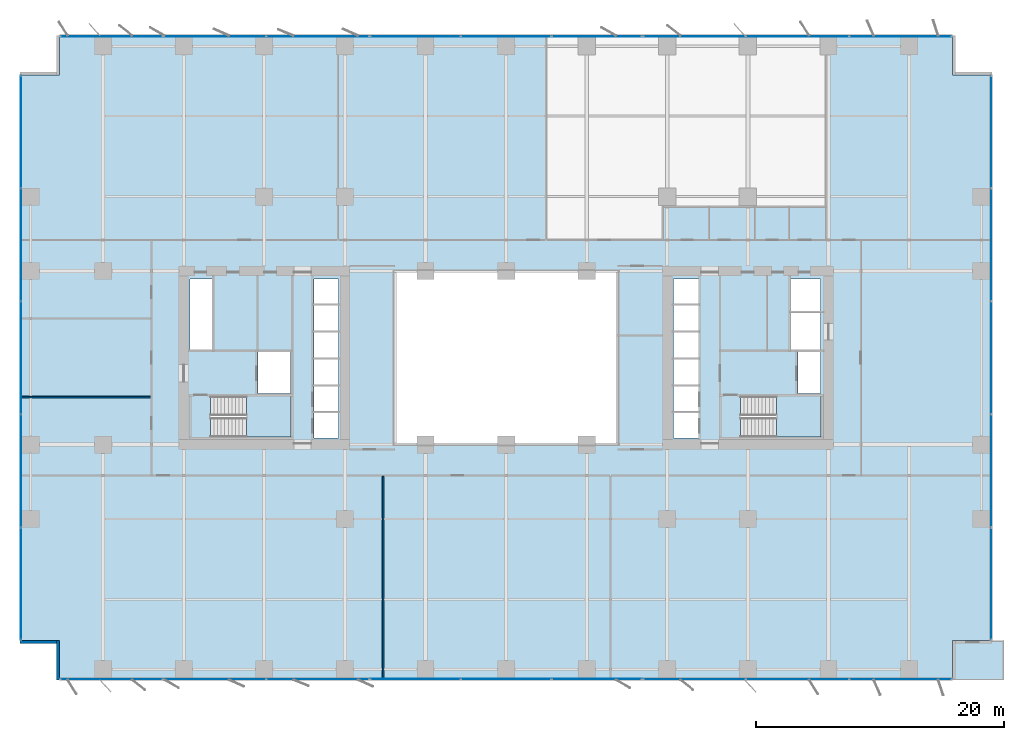
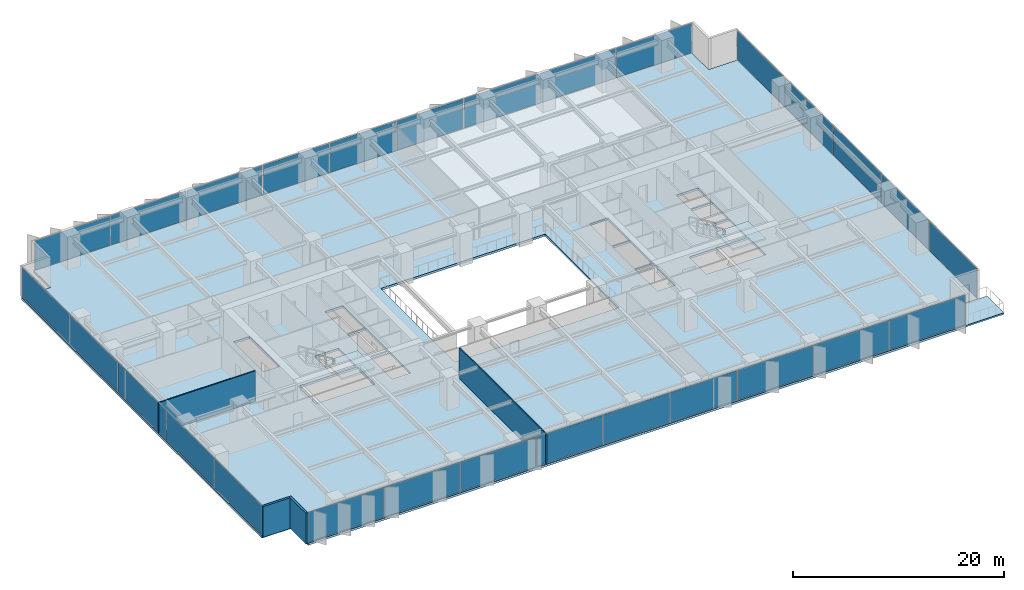
# One storey, part 12 of 20: 28 plates, 4 slabs, 4 walls, 10 elements without a shape of their own.
"""IFC4 building model written with IfcOpenShell, lengths in metres."""

import ifcopenshell
import ifcopenshell.guid

model = None  # the IFC model being written
_history = None  # IfcOwnerHistory: only IFC2X3 demands one
_inside = {}  # id of a spatial element -> (the spatial element, [elements in it])
_under = {}  # id of a project, library or spatial element -> (it, [spatial elements below it])
_declared = {}  # id of a project -> (the project, [libraries it declares])
_typed = {}  # id of a type object -> (the type object, [elements of that type])
_made_of = {}  # id of a material, layer set ... -> (it, [elements and type objects made of it])


def new_model(schema):
    """Start an empty IFC model of exactly this schema.

    Asked for "IFC4X3", IfcOpenShell would pick the latest addendum, in which some entities
    have other attributes; the version numbers below select the first issue.
    IFC2X3 requires an IfcOwnerHistory on every rooted entity: one is made here for all.
    """
    global model, _history
    if schema == "IFC4X3":
        model = ifcopenshell.file(schema_version=(4, 3, 0, 0))
    else:
        model = ifcopenshell.file(schema=schema)
    _inside.clear()
    _under.clear()
    _declared.clear()
    _typed.clear()
    _made_of.clear()
    _history = None
    if model.schema == "IFC2X3":
        org = make("IfcOrganization", Name="unknown")
        user = make(
            "IfcPersonAndOrganization",
            ThePerson=make("IfcPerson", FamilyName="unknown"),
            TheOrganization=org,
        )
        app = make(
            "IfcApplication",
            ApplicationDeveloper=org,
            Version="unknown",
            ApplicationFullName="unknown",
            ApplicationIdentifier="unknown",
        )
        _history = make(
            "IfcOwnerHistory",
            OwningUser=user,
            OwningApplication=app,
            ChangeAction="ADDED",
            CreationDate=0,
        )
    return model


def make(cls, **values):
    """One entity of the class cls with the attributes given. An attribute that is None is left unset."""
    return model.create_entity(
        cls, **{name: value for name, value in values.items() if value is not None}
    )


def rooted(cls, **values):
    """An entity with a GlobalId (a new one), such as an element, a storey or a relation."""
    return make(cls, GlobalId=ifcopenshell.guid.new(), OwnerHistory=_history, **values)


def si_unit(unit_type, name, prefix=None):
    """IfcSIUnit, for example si_unit("LENGTHUNIT", "METRE", prefix="MILLI")."""
    return make("IfcSIUnit", UnitType=unit_type, Prefix=prefix, Name=name)


def assignment(units):
    """IfcUnitAssignment: the units of a project."""
    return None if units is None else make("IfcUnitAssignment", Units=units)


def point(xyz):
    """IfcCartesianPoint."""
    return None if xyz is None else make("IfcCartesianPoint", Coordinates=xyz)


def direction(xyz):
    """IfcDirection."""
    return None if xyz is None else make("IfcDirection", DirectionRatios=xyz)


def frame(location, z_axis=None, x_axis=None):
    """IfcAxis2Placement3D, a coordinate frame: its origin and axes. An axis left out is left unset."""
    return make(
        "IfcAxis2Placement3D",
        Location=point(location),
        Axis=direction(z_axis),
        RefDirection=direction(x_axis),
    )


def frame_2d(location, x_axis=None):
    """IfcAxis2Placement2D, a coordinate frame in the plane: its origin and x axis."""
    return make(
        "IfcAxis2Placement2D", Location=point(location), RefDirection=direction(x_axis)
    )


def origin():
    """The frame at (0, 0, 0) with its axes left unset."""
    return frame((0.0, 0.0, 0.0))


def origin_2d():
    """The frame at (0, 0) in the plane with its x axis left unset."""
    return frame_2d((0.0, 0.0))


def place(relative_to, where):
    """IfcLocalPlacement: puts the frame where relative to a parent placement (None: the world)."""
    return make(
        "IfcLocalPlacement", PlacementRelTo=relative_to, RelativePlacement=where
    )


def context(
    kind, dimensions, precision=None, world=None, true_north=None, identifier=None
):
    """IfcGeometricRepresentationContext, for example the 3D "Model" context."""
    return make(
        "IfcGeometricRepresentationContext",
        ContextIdentifier=identifier,
        ContextType=kind,
        CoordinateSpaceDimension=dimensions,
        Precision=precision,
        WorldCoordinateSystem=world,
        TrueNorth=true_north,
    )


def subcontext(parent, identifier, kind, view, scale=None):
    """IfcGeometricRepresentationSubContext, for example "Body" below "Model"."""
    return make(
        "IfcGeometricRepresentationSubContext",
        ContextIdentifier=identifier,
        ContextType=kind,
        ParentContext=parent,
        TargetScale=scale,
        TargetView=view,
    )


def project(units=None, contexts=None):
    """IfcProject with its units and contexts."""
    return rooted(
        "IfcProject",
        Name="project",
        RepresentationContexts=contexts,
        UnitsInContext=assignment(units),
    )


def spatial(cls, under=None, at=None, **own):
    """A site, building, storey or space (cls), placed at a placement, below another one or the project."""
    s = rooted(cls, ObjectPlacement=at, **own)
    if under is not None:
        _under.setdefault(under.id(), (under, []))[1].append(s)
    return s


def polyline(points):
    """IfcPolyline through the points."""
    return make("IfcPolyline", Points=[point(p) for p in points])


def profile(cls, at=None, kind="AREA", **sizes):
    """A parametric profile (cls). Its sizes go by their IFC names, for example OverallWidth=200.0."""
    return make(cls, ProfileType=kind, Position=at, **sizes)


def rectangle(**sizes):
    """IfcRectangleProfileDef."""
    return profile("IfcRectangleProfileDef", **sizes)


def outline(outer, holes=None, kind="AREA"):
    """IfcArbitraryClosedProfileDef: a profile drawn as a closed curve; with holes, ...WithVoids."""
    if holes is None:
        return make("IfcArbitraryClosedProfileDef", ProfileType=kind, OuterCurve=outer)
    return make(
        "IfcArbitraryProfileDefWithVoids",
        ProfileType=kind,
        OuterCurve=outer,
        InnerCurves=holes,
    )


def extrude(swept, where, along, depth):
    """IfcExtrudedAreaSolid: the profile swept, set in the frame where, extruded along a direction by depth."""
    return make(
        "IfcExtrudedAreaSolid",
        SweptArea=swept,
        Position=where,
        ExtrudedDirection=direction(along),
        Depth=depth,
    )


def shape(context_of_items, identifier, shape_type, items):
    """IfcShapeRepresentation: the items that make up one representation, for example the "Body"."""
    return make(
        "IfcShapeRepresentation",
        ContextOfItems=context_of_items,
        RepresentationIdentifier=identifier,
        RepresentationType=shape_type,
        Items=items,
    )


def material(Name=None, Category=None):
    """IfcMaterial."""
    return make("IfcMaterial", Name=Name, Category=Category)


def layer(
    of_material, thickness, ventilated=None, Name=None, Category=None, Priority=None
):
    """IfcMaterialLayer: one layer of a wall or slab, of a material (None: an air gap)."""
    return make(
        "IfcMaterialLayer",
        Material=of_material,
        LayerThickness=thickness,
        IsVentilated=ventilated,
        Name=Name,
        Category=Category,
        Priority=Priority,
    )


def layer_set(layers, Name=None):
    """IfcMaterialLayerSet."""
    return make("IfcMaterialLayerSet", MaterialLayers=layers, LayerSetName=Name)


def made_of(thing, what):
    """Note that an element or type object is made of a material, layer set ...; save() writes the relation."""
    if what is not None:
        _made_of.setdefault(what.id(), (what, []))[1].append(thing)
    return thing


def type_object(cls, material=None, **own):
    """A type object (cls), such as IfcWallType, which elements share."""
    return made_of(rooted(cls, **own), material)


def element(
    cls,
    number,
    at=None,
    inside=None,
    cuts=None,
    type_object=None,
    material=None,
    context=None,
    identifier="Body",
    shape_type=None,
    held_by="IfcProductDefinitionShape",
    body=None,
    shapes=None,
    **own,
):
    """One element of the class cls, such as IfcWall. Its Tag is "e" and its number.

    at: its placement. inside: the storey or other place that contains it. cuts: it is an
    opening in that element (IfcRelVoidsElement). A single representation is given by context,
    identifier, shape_type and body (its items); several are given by shapes. held_by: the class
    of the entity that holds the representations. save() writes the other relations.
    """
    e = rooted(cls, Tag="e%d" % number, ObjectPlacement=at, **own)
    if body is not None:
        shapes = [shape(context, identifier, shape_type, body)]
    if shapes is not None:
        e.Representation = make(held_by, Representations=shapes)
    if inside is not None:
        _inside.setdefault(inside.id(), (inside, []))[1].append(e)
    if cuts is not None:
        rooted(
            "IfcRelVoidsElement", RelatingBuildingElement=cuts, RelatedOpeningElement=e
        )
    if type_object is not None:
        _typed.setdefault(type_object.id(), (type_object, []))[1].append(e)
    return made_of(e, material)


def aggregate(whole, parts):
    """IfcRelAggregates: a whole, such as a stair, and the parts it consists of."""
    return rooted("IfcRelAggregates", RelatingObject=whole, RelatedObjects=parts)


def save(model, path):
    """Write the relations noted so far, then the file.

    IfcRelAggregates (storeys below a building ...), IfcRelContainedInSpatialStructure (elements
    in a storey), IfcRelDefinesByType, IfcRelAssociatesMaterial and IfcRelDeclares: one each for
    every whole, place, type object, material and project.
    """
    for whole, parts in _under.values():
        aggregate(whole, parts)
    for where, things in _inside.values():
        rooted(
            "IfcRelContainedInSpatialStructure",
            RelatedElements=things,
            RelatingStructure=where,
        )
    for kind, things in _typed.values():
        rooted("IfcRelDefinesByType", RelatedObjects=things, RelatingType=kind)
    for what, things in _made_of.values():
        rooted("IfcRelAssociatesMaterial", RelatedObjects=things, RelatingMaterial=what)
    for by, libraries in _declared.values():
        rooted("IfcRelDeclares", RelatingContext=by, RelatedDefinitions=libraries)
    model.write(path)


model = new_model("IFC4")

# Units and contexts
model_context = context("Model", 3, precision=1e-05, world=origin(), true_north=direction((0.0, 1.0)))
body_context = subcontext(model_context, "Body", "Model", "MODEL_VIEW")
ifc_project = project(units=[si_unit("LENGTHUNIT", "METRE"), si_unit("AREAUNIT", "SQUARE_METRE"), si_unit("VOLUMEUNIT", "CUBIC_METRE"), si_unit("PLANEANGLEUNIT", "RADIAN"), si_unit("MASSUNIT", "GRAM", prefix="KILO")], contexts=[model_context])

# Site, building, storey
site_placement = place(None, origin())
site = spatial("IfcSite", under=ifc_project, at=site_placement, CompositionType="ELEMENT")
building_placement = place(site_placement, origin())
building = spatial("IfcBuilding", under=site, at=building_placement, Name="Putna Gate Headquarters", CompositionType="ELEMENT")
storey_placement = place(building_placement, frame((0.0, 0.0, 50.60009765625)))
storey = spatial("IfcBuildingStorey", under=building, at=storey_placement, Name="L11", CompositionType="ELEMENT", Elevation=50.60009765625)

# Stair, slab
ifc_material_1 = material(Name="Concrete C40/50", Category="concrete")
stair_type_1 = type_object("IfcStairType", Name="STAIR-ST1", PredefinedType="HALF_TURN_STAIR", material=ifc_material_1)
stair_1_placement = place(storey_placement, origin())
stair_1 = element("IfcStair", 1, at=stair_1_placement, inside=storey, type_object=stair_type_1, Name="L11 West Core Exit Stair ST1", PredefinedType="HALF_TURN_STAIR")
ifc_layer_1 = layer(ifc_material_1, 0.199951171875)
ifc_layer_set_1 = layer_set([ifc_layer_1], Name="Concrete C40/50")
slab_type_1 = type_object("IfcSlabType", Name="LANDING-ST1", PredefinedType="LANDING", material=ifc_layer_set_1)
slab_1_placement = place(storey_placement, frame((0.0, 0.0, 1.699951171875)))
slab_1 = element("IfcSlab", 2, at=slab_1_placement, type_object=slab_type_1, Name="ST1 landing 1", PredefinedType="LANDING", context=body_context, shape_type="SweptSolid", body=[
    extrude(outline(polyline([(18.050048828125, 19.60009765625), (21.64990234375, 19.60009765625), (21.64990234375, 22.89990234375), (18.050048828125, 22.89990234375), (18.050048828125, 19.60009765625)])), origin(), (0.0, 0.0, 1.0), 0.199951171875),
])
aggregate(stair_1, [slab_1])

stair_type_2 = type_object("IfcStairType", Name="STAIR-ST2", PredefinedType="HALF_TURN_STAIR", material=ifc_material_1)
stair_2_placement = place(storey_placement, origin())
stair_2 = element("IfcStair", 3, at=stair_2_placement, inside=storey, type_object=stair_type_2, Name="L11 East Core Exit Stair ST2", PredefinedType="HALF_TURN_STAIR")
ifc_layer_2 = layer(ifc_material_1, 0.199951171875)
ifc_layer_set_2 = layer_set([ifc_layer_2], Name="Concrete C40/50")
slab_type_2 = type_object("IfcSlabType", Name="LANDING-ST2", PredefinedType="LANDING", material=ifc_layer_set_2)
slab_2_placement = place(storey_placement, frame((0.0, 0.0, 1.699951171875)))
slab_2 = element("IfcSlab", 4, at=slab_2_placement, type_object=slab_type_2, Name="ST2 landing 1", PredefinedType="LANDING", context=body_context, shape_type="SweptSolid", body=[
    extrude(outline(polyline([(60.800048828125, 19.60009765625), (64.39990234375, 19.60009765625), (64.39990234375, 22.89990234375), (60.800048828125, 22.89990234375), (60.800048828125, 19.60009765625)])), origin(), (0.0, 0.0, 1.0), 0.199951171875),
])
aggregate(stair_2, [slab_2])

# Curtain wall, plates
ifc_material_2 = material(Name="Anodised bronze aluminium curtain wall", Category="aluminium")
ifc_layer_3 = layer(ifc_material_2, 0.179931640625)
ifc_layer_set_3 = layer_set([ifc_layer_3], Name="Anodised bronze aluminium curtain wall")
curtain_wall_type_1 = type_object("IfcCurtainWallType", Name="CW-SYS-Z1", PredefinedType="USERDEFINED", material=ifc_layer_set_3)
curtain_wall_1_placement = place(storey_placement, origin())
curtain_wall_1 = element("IfcCurtainWall", 5, at=curtain_wall_1_placement, inside=storey, type_object=curtain_wall_type_1, Name="L11 South West Curtain Wall", ObjectType="STICK CURTAIN WALL", PredefinedType="USERDEFINED")
ifc_material_3 = material(Name="Solar-control triple low-E glass", Category="glass")
ifc_layer_4 = layer(ifc_material_3, 0.031982421875)
ifc_layer_set_4 = layer_set([ifc_layer_4], Name="Solar-control triple low-E glass")
plate_type_1 = type_object("IfcPlateType", Name="PAN-CWP-1", PredefinedType="CURTAIN_PANEL", material=ifc_layer_set_4)
plate_1_placement = place(storey_placement, frame((7.18408203125, 0.080078125, 0.06494140625), z_axis=(0.0, 0.0, 1.0), x_axis=(1.0, 0.0, 0.0)))
plate_1 = element("IfcPlate", 6, at=plate_1_placement, type_object=plate_type_1, Name="CWS-1 panel 1.1", PredefinedType="CURTAIN_PANEL", context=body_context, shape_type="SweptSolid", body=[
    extrude(rectangle(XDim=8.228271484375, YDim=0.031982421875, at=origin_2d()), origin(), (0.0, 0.0, 1.0), 3.419921875),
])
plate_2_placement = place(storey_placement, frame((15.5, 0.080078125, 0.06494140625), z_axis=(0.0, 0.0, 1.0), x_axis=(1.0, 0.0, 0.0)))
plate_2 = element("IfcPlate", 7, at=plate_2_placement, type_object=plate_type_1, Name="CWS-1 panel 2.1", PredefinedType="CURTAIN_PANEL", context=body_context, shape_type="SweptSolid", body=[
    extrude(rectangle(XDim=8.263427734375, YDim=0.031982421875, at=origin_2d()), origin(), (0.0, 0.0, 1.0), 3.419921875),
])
plate_3_placement = place(storey_placement, frame((23.81591796875, 0.080078125, 0.06494140625), z_axis=(0.0, 0.0, 1.0), x_axis=(1.0, 0.0, 0.0)))
plate_3 = element("IfcPlate", 8, at=plate_3_placement, type_object=plate_type_1, Name="CWS-1 panel 3.1", PredefinedType="CURTAIN_PANEL", context=body_context, shape_type="SweptSolid", body=[
    extrude(rectangle(XDim=8.228271484375, YDim=0.031982421875, at=origin_2d()), origin(), (0.0, 0.0, 1.0), 3.419921875),
])
aggregate(curtain_wall_1, [plate_1, plate_2, plate_3])

curtain_wall_2_placement = place(storey_placement, origin())
curtain_wall_2 = element("IfcCurtainWall", 9, at=curtain_wall_2_placement, inside=storey, type_object=curtain_wall_type_1, Name="L11 South East Curtain Wall", ObjectType="STICK CURTAIN WALL", PredefinedType="USERDEFINED")
plate_4_placement = place(storey_placement, frame((54.18408203125, 0.080078125, 0.06494140625), z_axis=(0.0, 0.0, 1.0), x_axis=(1.0, 0.0, 0.0)))
plate_4 = element("IfcPlate", 10, at=plate_4_placement, type_object=plate_type_1, Name="CWS-1 panel 1.1", PredefinedType="CURTAIN_PANEL", context=body_context, shape_type="SweptSolid", body=[
    extrude(rectangle(XDim=8.228271484375, YDim=0.031982421875, at=origin_2d()), origin(), (0.0, 0.0, 1.0), 3.419921875),
])
plate_5_placement = place(storey_placement, frame((62.5, 0.080078125, 0.06494140625), z_axis=(0.0, 0.0, 1.0), x_axis=(1.0, 0.0, 0.0)))
plate_5 = element("IfcPlate", 11, at=plate_5_placement, type_object=plate_type_1, Name="CWS-1 panel 2.1", PredefinedType="CURTAIN_PANEL", context=body_context, shape_type="SweptSolid", body=[
    extrude(rectangle(XDim=8.263427734375, YDim=0.031982421875, at=origin_2d()), origin(), (0.0, 0.0, 1.0), 3.419921875),
])
plate_6_placement = place(storey_placement, frame((70.81591796875, 0.080078125, 0.06494140625), z_axis=(0.0, 0.0, 1.0), x_axis=(1.0, 0.0, 0.0)))
plate_6 = element("IfcPlate", 12, at=plate_6_placement, type_object=plate_type_1, Name="CWS-1 panel 3.1", PredefinedType="CURTAIN_PANEL", context=body_context, shape_type="SweptSolid", body=[
    extrude(rectangle(XDim=8.228271484375, YDim=0.031982421875, at=origin_2d()), origin(), (0.0, 0.0, 1.0), 3.419921875),
])
aggregate(curtain_wall_2, [plate_4, plate_5, plate_6])

curtain_wall_3_placement = place(storey_placement, origin())
curtain_wall_3 = element("IfcCurtainWall", 13, at=curtain_wall_3_placement, inside=storey, type_object=curtain_wall_type_1, Name="L11 North West Curtain Wall", ObjectType="STICK CURTAIN WALL", PredefinedType="USERDEFINED")
plate_7_placement = place(storey_placement, frame((7.18408203125, 51.919921875, 0.06494140625), z_axis=(0.0, 0.0, 1.0), x_axis=(1.0, 0.0, 0.0)))
plate_7 = element("IfcPlate", 14, at=plate_7_placement, type_object=plate_type_1, Name="CWS-1 panel 1.1", PredefinedType="CURTAIN_PANEL", context=body_context, shape_type="SweptSolid", body=[
    extrude(rectangle(XDim=8.228271484375, YDim=0.031982421875, at=origin_2d()), origin(), (0.0, 0.0, 1.0), 3.419921875),
])
plate_8_placement = place(storey_placement, frame((15.5, 51.919921875, 0.06494140625), z_axis=(0.0, 0.0, 1.0), x_axis=(1.0, 0.0, 0.0)))
plate_8 = element("IfcPlate", 15, at=plate_8_placement, type_object=plate_type_1, Name="CWS-1 panel 2.1", PredefinedType="CURTAIN_PANEL", context=body_context, shape_type="SweptSolid", body=[
    extrude(rectangle(XDim=8.263427734375, YDim=0.031982421875, at=origin_2d()), origin(), (0.0, 0.0, 1.0), 3.419921875),
])
plate_9_placement = place(storey_placement, frame((23.81591796875, 51.919921875, 0.06494140625), z_axis=(0.0, 0.0, 1.0), x_axis=(1.0, 0.0, 0.0)))
plate_9 = element("IfcPlate", 16, at=plate_9_placement, type_object=plate_type_1, Name="CWS-1 panel 3.1", PredefinedType="CURTAIN_PANEL", context=body_context, shape_type="SweptSolid", body=[
    extrude(rectangle(XDim=8.228271484375, YDim=0.031982421875, at=origin_2d()), origin(), (0.0, 0.0, 1.0), 3.419921875),
])
aggregate(curtain_wall_3, [plate_7, plate_8, plate_9])

curtain_wall_4_placement = place(storey_placement, origin())
curtain_wall_4 = element("IfcCurtainWall", 17, at=curtain_wall_4_placement, inside=storey, type_object=curtain_wall_type_1, Name="L11 North East Curtain Wall", ObjectType="STICK CURTAIN WALL", PredefinedType="USERDEFINED")
plate_10_placement = place(storey_placement, frame((54.18408203125, 51.919921875, 0.06494140625), z_axis=(0.0, 0.0, 1.0), x_axis=(1.0, 0.0, 0.0)))
plate_10 = element("IfcPlate", 18, at=plate_10_placement, type_object=plate_type_1, Name="CWS-1 panel 1.1", PredefinedType="CURTAIN_PANEL", context=body_context, shape_type="SweptSolid", body=[
    extrude(rectangle(XDim=8.228271484375, YDim=0.031982421875, at=origin_2d()), origin(), (0.0, 0.0, 1.0), 3.419921875),
])
plate_11_placement = place(storey_placement, frame((62.5, 51.919921875, 0.06494140625), z_axis=(0.0, 0.0, 1.0), x_axis=(1.0, 0.0, 0.0)))
plate_11 = element("IfcPlate", 19, at=plate_11_placement, type_object=plate_type_1, Name="CWS-1 panel 2.1", PredefinedType="CURTAIN_PANEL", context=body_context, shape_type="SweptSolid", body=[
    extrude(rectangle(XDim=8.263427734375, YDim=0.031982421875, at=origin_2d()), origin(), (0.0, 0.0, 1.0), 3.419921875),
])
plate_12_placement = place(storey_placement, frame((70.81591796875, 51.919921875, 0.06494140625), z_axis=(0.0, 0.0, 1.0), x_axis=(1.0, 0.0, 0.0)))
plate_12 = element("IfcPlate", 20, at=plate_12_placement, type_object=plate_type_1, Name="CWS-1 panel 3.1", PredefinedType="CURTAIN_PANEL", context=body_context, shape_type="SweptSolid", body=[
    extrude(rectangle(XDim=8.228271484375, YDim=0.031982421875, at=origin_2d()), origin(), (0.0, 0.0, 1.0), 3.419921875),
])
aggregate(curtain_wall_4, [plate_10, plate_11, plate_12])

curtain_wall_5_placement = place(storey_placement, origin())
curtain_wall_5 = element("IfcCurtainWall", 21, at=curtain_wall_5_placement, inside=storey, type_object=curtain_wall_type_1, Name="L11 West Curtain Wall", ObjectType="STICK CURTAIN WALL", PredefinedType="USERDEFINED")
plate_13_placement = place(storey_placement, frame((-0.1201171875, 7.777587890625, 0.06494140625), z_axis=(0.0, 0.0, 1.0), x_axis=(0.0, 1.0, 0.0)))
plate_13 = element("IfcPlate", 22, at=plate_13_placement, type_object=plate_type_1, Name="CWS-1 panel 1.1", PredefinedType="CURTAIN_PANEL", context=body_context, shape_type="SweptSolid", body=[
    extrude(rectangle(XDim=9.014892578125, YDim=0.031982421875, at=origin_2d()), origin(), (0.0, 0.0, 1.0), 3.419921875),
])
plate_14_placement = place(storey_placement, frame((-0.1201171875, 16.8798828125, 0.06494140625), z_axis=(0.0, 0.0, 1.0), x_axis=(0.0, 1.0, 0.0)))
plate_14 = element("IfcPlate", 23, at=plate_14_placement, type_object=plate_type_1, Name="CWS-1 panel 2.1", PredefinedType="CURTAIN_PANEL", context=body_context, shape_type="SweptSolid", body=[
    extrude(rectangle(XDim=9.050048828125, YDim=0.031982421875, at=origin_2d()), origin(), (0.0, 0.0, 1.0), 3.419921875),
])
plate_15_placement = place(storey_placement, frame((-0.1201171875, 26.0, 0.06494140625), z_axis=(0.0, 0.0, 1.0), x_axis=(0.0, 1.0, 0.0)))
plate_15 = element("IfcPlate", 24, at=plate_15_placement, type_object=plate_type_1, Name="CWS-1 panel 3.1", PredefinedType="CURTAIN_PANEL", context=body_context, shape_type="SweptSolid", body=[
    extrude(rectangle(XDim=9.050048828125, YDim=0.031982421875, at=origin_2d()), origin(), (0.0, 0.0, 1.0), 3.419921875),
])
plate_16_placement = place(storey_placement, frame((-0.1201171875, 35.1201171875, 0.06494140625), z_axis=(0.0, 0.0, 1.0), x_axis=(0.0, 1.0, 0.0)))
plate_16 = element("IfcPlate", 25, at=plate_16_placement, type_object=plate_type_1, Name="CWS-1 panel 4.1", PredefinedType="CURTAIN_PANEL", context=body_context, shape_type="SweptSolid", body=[
    extrude(rectangle(XDim=9.050048828125, YDim=0.031982421875, at=origin_2d()), origin(), (0.0, 0.0, 1.0), 3.419921875),
])
plate_17_placement = place(storey_placement, frame((-0.1201171875, 44.222412109375, 0.06494140625), z_axis=(0.0, 0.0, 1.0), x_axis=(0.0, 1.0, 0.0)))
plate_17 = element("IfcPlate", 26, at=plate_17_placement, type_object=plate_type_1, Name="CWS-1 panel 5.1", PredefinedType="CURTAIN_PANEL", context=body_context, shape_type="SweptSolid", body=[
    extrude(rectangle(XDim=9.014892578125, YDim=0.031982421875, at=origin_2d()), origin(), (0.0, 0.0, 1.0), 3.419921875),
])
aggregate(curtain_wall_5, [plate_13, plate_14, plate_15, plate_16, plate_17])

curtain_wall_6_placement = place(storey_placement, origin())
curtain_wall_6 = element("IfcCurtainWall", 27, at=curtain_wall_6_placement, inside=storey, type_object=curtain_wall_type_1, Name="L11 East Curtain Wall", ObjectType="STICK CURTAIN WALL", PredefinedType="USERDEFINED")
plate_18_placement = place(storey_placement, frame((78.1201171875, 7.777587890625, 0.06494140625), z_axis=(0.0, 0.0, 1.0), x_axis=(0.0, 1.0, 0.0)))
plate_18 = element("IfcPlate", 28, at=plate_18_placement, type_object=plate_type_1, Name="CWS-1 panel 1.1", PredefinedType="CURTAIN_PANEL", context=body_context, shape_type="SweptSolid", body=[
    extrude(rectangle(XDim=9.014892578125, YDim=0.031982421875, at=origin_2d()), origin(), (0.0, 0.0, 1.0), 3.419921875),
])
plate_19_placement = place(storey_placement, frame((78.1201171875, 16.8798828125, 0.06494140625), z_axis=(0.0, 0.0, 1.0), x_axis=(0.0, 1.0, 0.0)))
plate_19 = element("IfcPlate", 29, at=plate_19_placement, type_object=plate_type_1, Name="CWS-1 panel 2.1", PredefinedType="CURTAIN_PANEL", context=body_context, shape_type="SweptSolid", body=[
    extrude(rectangle(XDim=9.050048828125, YDim=0.031982421875, at=origin_2d()), origin(), (0.0, 0.0, 1.0), 3.419921875),
])
plate_20_placement = place(storey_placement, frame((78.1201171875, 26.0, 0.06494140625), z_axis=(0.0, 0.0, 1.0), x_axis=(0.0, 1.0, 0.0)))
plate_20 = element("IfcPlate", 30, at=plate_20_placement, type_object=plate_type_1, Name="CWS-1 panel 3.1", PredefinedType="CURTAIN_PANEL", context=body_context, shape_type="SweptSolid", body=[
    extrude(rectangle(XDim=9.050048828125, YDim=0.031982421875, at=origin_2d()), origin(), (0.0, 0.0, 1.0), 3.419921875),
])
plate_21_placement = place(storey_placement, frame((78.1201171875, 35.1201171875, 0.06494140625), z_axis=(0.0, 0.0, 1.0), x_axis=(0.0, 1.0, 0.0)))
plate_21 = element("IfcPlate", 31, at=plate_21_placement, type_object=plate_type_1, Name="CWS-1 panel 4.1", PredefinedType="CURTAIN_PANEL", context=body_context, shape_type="SweptSolid", body=[
    extrude(rectangle(XDim=9.050048828125, YDim=0.031982421875, at=origin_2d()), origin(), (0.0, 0.0, 1.0), 3.419921875),
])
plate_22_placement = place(storey_placement, frame((78.1201171875, 44.222412109375, 0.06494140625), z_axis=(0.0, 0.0, 1.0), x_axis=(0.0, 1.0, 0.0)))
plate_22 = element("IfcPlate", 32, at=plate_22_placement, type_object=plate_type_1, Name="CWS-1 panel 5.1", PredefinedType="CURTAIN_PANEL", context=body_context, shape_type="SweptSolid", body=[
    extrude(rectangle(XDim=9.014892578125, YDim=0.031982421875, at=origin_2d()), origin(), (0.0, 0.0, 1.0), 3.419921875),
])
aggregate(curtain_wall_6, [plate_18, plate_19, plate_20, plate_21, plate_22])

ifc_layer_5 = layer(ifc_material_2, 0.179931640625)
ifc_layer_set_5 = layer_set([ifc_layer_5], Name="Anodised bronze aluminium curtain wall")
curtain_wall_type_2 = type_object("IfcCurtainWallType", Name="CW-SYS-ATR", PredefinedType="USERDEFINED", material=ifc_layer_set_5)
curtain_wall_7_placement = place(storey_placement, origin())
curtain_wall_7 = element("IfcCurtainWall", 33, at=curtain_wall_7_placement, inside=storey, type_object=curtain_wall_type_2, Name="L11 South Atrium Clear Glazing", ObjectType="ATRIUM GLAZING", PredefinedType="USERDEFINED")
ifc_material_4 = material(Name="Clear low-iron triple glazing", Category="glass")
ifc_layer_6 = layer(ifc_material_4, 0.0400390625)
ifc_layer_set_6 = layer_set([ifc_layer_6], Name="Clear low-iron triple glazing")
plate_type_2 = type_object("IfcPlateType", Name="PAN-CWP-AT", PredefinedType="CURTAIN_PANEL", material=ifc_layer_set_6)
plate_23_placement = place(storey_placement, frame((31.68408203125, 0.080078125, 0.06982421875), z_axis=(0.0, 0.0, 1.0), x_axis=(1.0, 0.0, 0.0)))
plate_23 = element("IfcPlate", 34, at=plate_23_placement, type_object=plate_type_2, Name="CWS-AT panel 1.1", PredefinedType="CURTAIN_PANEL", context=body_context, shape_type="SweptSolid", body=[
    extrude(rectangle(XDim=7.228271484375, YDim=0.0400390625, at=origin_2d()), origin(), (0.0, 0.0, 1.0), 3.409912109375),
])
plate_24_placement = place(storey_placement, frame((39.0, 0.080078125, 0.06982421875), z_axis=(0.0, 0.0, 1.0), x_axis=(1.0, 0.0, 0.0)))
plate_24 = element("IfcPlate", 35, at=plate_24_placement, type_object=plate_type_2, Name="CWS-AT panel 2.1", PredefinedType="CURTAIN_PANEL", context=body_context, shape_type="SweptSolid", body=[
    extrude(rectangle(XDim=7.263427734375, YDim=0.0400390625, at=origin_2d()), origin(), (0.0, 0.0, 1.0), 3.409912109375),
])
plate_25_placement = place(storey_placement, frame((46.31591796875, 0.080078125, 0.06982421875), z_axis=(0.0, 0.0, 1.0), x_axis=(1.0, 0.0, 0.0)))
plate_25 = element("IfcPlate", 36, at=plate_25_placement, type_object=plate_type_2, Name="CWS-AT panel 3.1", PredefinedType="CURTAIN_PANEL", context=body_context, shape_type="SweptSolid", body=[
    extrude(rectangle(XDim=7.228271484375, YDim=0.0400390625, at=origin_2d()), origin(), (0.0, 0.0, 1.0), 3.409912109375),
])
aggregate(curtain_wall_7, [plate_23, plate_24, plate_25])

curtain_wall_8_placement = place(storey_placement, origin())
curtain_wall_8 = element("IfcCurtainWall", 37, at=curtain_wall_8_placement, inside=storey, type_object=curtain_wall_type_2, Name="L11 North Atrium Clear Glazing", ObjectType="ATRIUM GLAZING", PredefinedType="USERDEFINED")
plate_26_placement = place(storey_placement, frame((31.68408203125, 51.919921875, 0.06982421875), z_axis=(0.0, 0.0, 1.0), x_axis=(1.0, 0.0, 0.0)))
plate_26 = element("IfcPlate", 38, at=plate_26_placement, type_object=plate_type_2, Name="CWS-AT panel 1.1", PredefinedType="CURTAIN_PANEL", context=body_context, shape_type="SweptSolid", body=[
    extrude(rectangle(XDim=7.228271484375, YDim=0.0400390625, at=origin_2d()), origin(), (0.0, 0.0, 1.0), 3.409912109375),
])
plate_27_placement = place(storey_placement, frame((39.0, 51.919921875, 0.06982421875), z_axis=(0.0, 0.0, 1.0), x_axis=(1.0, 0.0, 0.0)))
plate_27 = element("IfcPlate", 39, at=plate_27_placement, type_object=plate_type_2, Name="CWS-AT panel 2.1", PredefinedType="CURTAIN_PANEL", context=body_context, shape_type="SweptSolid", body=[
    extrude(rectangle(XDim=7.263427734375, YDim=0.0400390625, at=origin_2d()), origin(), (0.0, 0.0, 1.0), 3.409912109375),
])
plate_28_placement = place(storey_placement, frame((46.31591796875, 51.919921875, 0.06982421875), z_axis=(0.0, 0.0, 1.0), x_axis=(1.0, 0.0, 0.0)))
plate_28 = element("IfcPlate", 40, at=plate_28_placement, type_object=plate_type_2, Name="CWS-AT panel 3.1", PredefinedType="CURTAIN_PANEL", context=body_context, shape_type="SweptSolid", body=[
    extrude(rectangle(XDim=7.228271484375, YDim=0.0400390625, at=origin_2d()), origin(), (0.0, 0.0, 1.0), 3.409912109375),
])
aggregate(curtain_wall_8, [plate_26, plate_27, plate_28])

# Slabs
ifc_layer_7 = layer(ifc_material_1, 0.179931640625)
ifc_layer_set_7 = layer_set([ifc_layer_7], Name="Concrete C40/50")
slab_type_3 = type_object("IfcSlabType", Name="SLAB-TERRACE-180", PredefinedType="FLOOR", material=ifc_layer_set_7)
slab_3_placement = place(storey_placement, frame((0.0, 0.0, -0.18017578125)))
element("IfcSlab", 41, at=slab_3_placement, inside=storey, type_object=slab_type_3, Name="L11 Spiral Sky-Garden Terrace Slab (SE)", PredefinedType="FLOOR", context=body_context, shape_type="SweptSolid", body=[
    extrude(outline(polyline([(74.991943359375, 0.0), (79.14990234375, 0.0), (79.14990234375, 3.2080078125), (74.991943359375, 3.2080078125), (74.991943359375, 0.0)])), origin(), (0.0, 0.0, 1.0), 0.18017578125),
])
ifc_layer_8 = layer(ifc_material_1, 0.25)
ifc_layer_set_8 = layer_set([ifc_layer_8], Name="Concrete C40/50")
slab_type_4 = type_object("IfcSlabType", Name="SLAB-Z1-250", PredefinedType="FLOOR", material=ifc_layer_set_8)
slab_4_placement = place(storey_placement, frame((0.0, 0.0, -0.25)))
element("IfcSlab", 42, at=slab_4_placement, inside=storey, type_object=slab_type_4, Name="L11 Composite Floor Slab", PredefinedType="FLOOR", context=body_context, shape_type="SweptSolid", body=[
    extrude(outline(polyline([(3.0, 0.0), (75.0, 0.0), (75.0, 3.199951171875), (78.199951171875, 3.199951171875), (78.199951171875, 48.800048828125), (75.0, 48.800048828125), (75.0, 52.0), (3.0, 52.0), (3.0, 48.800048828125), (-0.199951171875, 48.800048828125), (-0.199951171875, 3.199951171875), (3.0, 3.199951171875), (3.0, 0.0)]), holes=[polyline([(15.1650390625, 19.60009765625), (21.64990234375, 19.60009765625), (21.64990234375, 22.89990234375), (15.1650390625, 22.89990234375), (15.1650390625, 19.60009765625)]), polyline([(57.9150390625, 19.60009765625), (64.39990234375, 19.60009765625), (64.39990234375, 22.89990234375), (57.9150390625, 22.89990234375), (57.9150390625, 19.60009765625)]), polyline([(13.52001953125, 26.659912109375), (15.280029296875, 26.659912109375), (15.280029296875, 32.35009765625), (13.52001953125, 32.35009765625), (13.52001953125, 26.659912109375)]), polyline([(61.969970703125, 29.780029296875), (64.35009765625, 29.780029296875), (64.35009765625, 32.35009765625), (61.969970703125, 32.35009765625), (61.969970703125, 29.780029296875)]), polyline([(18.97998046875, 23.1201171875), (21.6201171875, 23.1201171875), (21.6201171875, 26.4599609375), (18.97998046875, 26.4599609375), (18.97998046875, 23.1201171875)]), polyline([(62.52001953125, 23.1201171875), (64.35009765625, 23.1201171875), (64.35009765625, 26.4599609375), (62.52001953125, 26.4599609375), (62.52001953125, 23.1201171875)]), polyline([(61.969970703125, 26.659912109375), (64.35009765625, 26.659912109375), (64.35009765625, 29.6201171875), (61.969970703125, 29.6201171875), (61.969970703125, 26.659912109375)]), polyline([(23.5, 19.52001953125), (25.5, 19.52001953125), (25.5, 23.699951171875), (23.5, 23.699951171875), (23.5, 19.52001953125)]), polyline([(52.47998046875, 19.52001953125), (54.5, 19.52001953125), (54.5, 23.699951171875), (52.47998046875, 23.699951171875), (52.47998046875, 19.52001953125)]), polyline([(23.5, 23.860107421875), (25.5, 23.860107421875), (25.5, 28.0400390625), (23.5, 28.0400390625), (23.5, 23.860107421875)]), polyline([(52.47998046875, 23.860107421875), (54.5, 23.860107421875), (54.5, 28.0400390625), (52.47998046875, 28.0400390625), (52.47998046875, 23.860107421875)]), polyline([(23.5, 28.199951171875), (25.5, 28.199951171875), (25.5, 32.35009765625), (23.5, 32.35009765625), (23.5, 28.199951171875)]), polyline([(52.47998046875, 28.199951171875), (54.5, 28.199951171875), (54.5, 32.35009765625), (52.47998046875, 32.35009765625), (52.47998046875, 28.199951171875)]), polyline([(30.0, 19.0), (48.0, 19.0), (48.0, 33.0), (30.0, 33.0), (30.0, 19.0)])]), origin(), (0.0, 0.0, 1.0), 0.25),
])

# Walls
ifc_material_5 = material(Name="Precast concrete C40/50", Category="concrete")
ifc_layer_9 = layer(ifc_material_5, 0.239990234375)
ifc_layer_set_9 = layer_set([ifc_layer_9], Name="Precast concrete C40/50")
wall_type_1 = type_object("IfcWallType", Name="WALL-EXT-TERR-240", PredefinedType="STANDARD", material=ifc_layer_set_9)
for number, where, z_axis, x_axis, name in (
    (43, (2.8798828125, 0.0, 0.0), (0.0, 0.0, 1.0), (0.0, 1.0, 0.0), "L11 Corner Notch Return Wall SW-V"),
    (44, (3.0, 3.080078125, 0.0), (0.0, 0.0, 1.0), (-1.0, 0.0, 0.0), "L11 Corner Notch Return Wall SW-H"),
):
    element("IfcWall", number, at=place(storey_placement, frame(where, z_axis=z_axis, x_axis=x_axis)), inside=storey, type_object=wall_type_1, Name=name, PredefinedType="STANDARD", context=body_context, shape_type="SweptSolid", body=[
        extrude(rectangle(XDim=3.199951171875, YDim=0.239990234375, at=frame_2d((1.60009765625, 0.0))), origin(), (0.0, 0.0, 1.0), 3.5498046875),
    ])
ifc_material_6 = material(Name="Acoustic gypsum board on metal stud")
ifc_layer_10 = layer(ifc_material_6, 0.1201171875)
ifc_layer_set_10 = layer_set([ifc_layer_10], Name="Acoustic gypsum board on metal stud")
wall_type_2 = type_object("IfcWallType", Name="WALL-PART-120", PredefinedType="PARTITIONING", material=ifc_layer_set_10)
wall_1_placement = place(storey_placement, frame((29.0810546875, 0.02001953125, 0.0), z_axis=(0.0, 0.0, 1.0), x_axis=(0.0, 1.0, 0.0)))
element("IfcWall", 45, at=wall_1_placement, inside=storey, type_object=wall_type_2, Name="L11 Interior Wall PART-L11-SB-DIV-01", PredefinedType="PARTITIONING", context=body_context, shape_type="SweptSolid", body=[
    extrude(rectangle(XDim=16.419921875, YDim=0.1201171875, at=frame_2d((8.2099609375, 0.0))), origin(), (0.0, 0.0, 1.0), 3.5498046875),
])
wall_2_placement = place(storey_placement, frame((-0.179931640625, 22.833251953125, 0.0), z_axis=(0.0, 0.0, 1.0), x_axis=(1.0, 0.0, 0.0)))
element("IfcWall", 46, at=wall_2_placement, inside=storey, type_object=wall_type_2, Name="L11 Interior Wall PART-L11-WW-DIV-1", PredefinedType="PARTITIONING", context=body_context, shape_type="SweptSolid", body=[
    extrude(rectangle(XDim=10.579833984375, YDim=0.1201171875, at=frame_2d((5.2900390625, 0.0))), origin(), (0.0, 0.0, 1.0), 3.5498046875),
])

save(model, "model.ifc")
